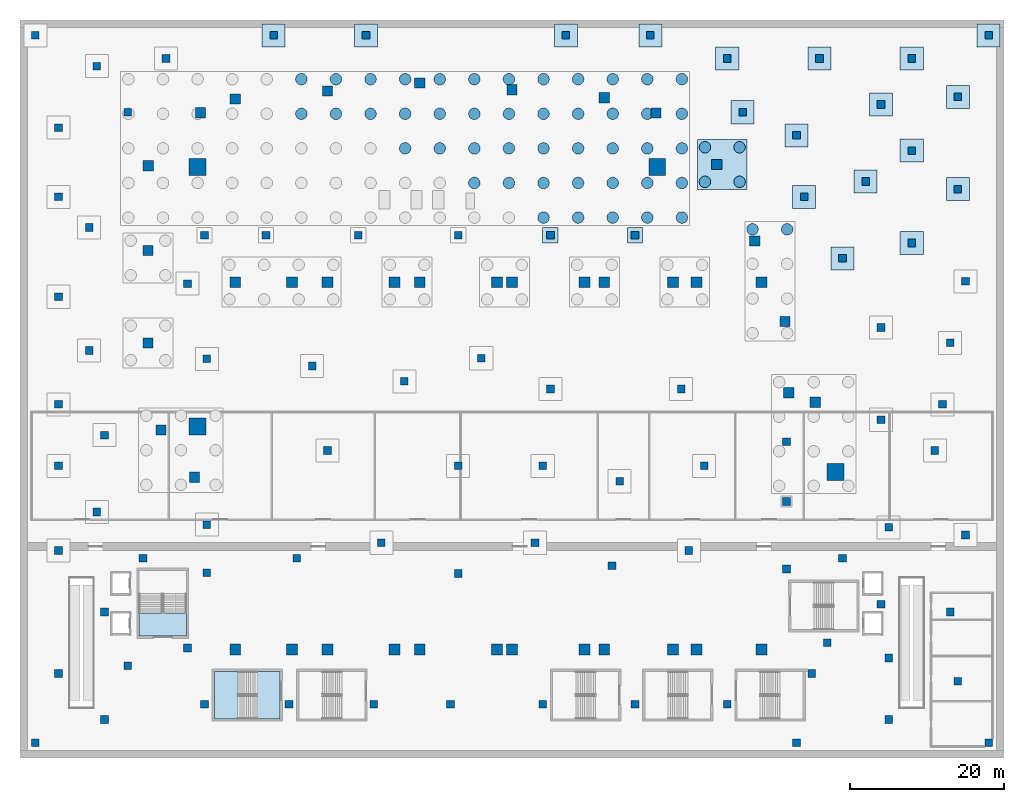
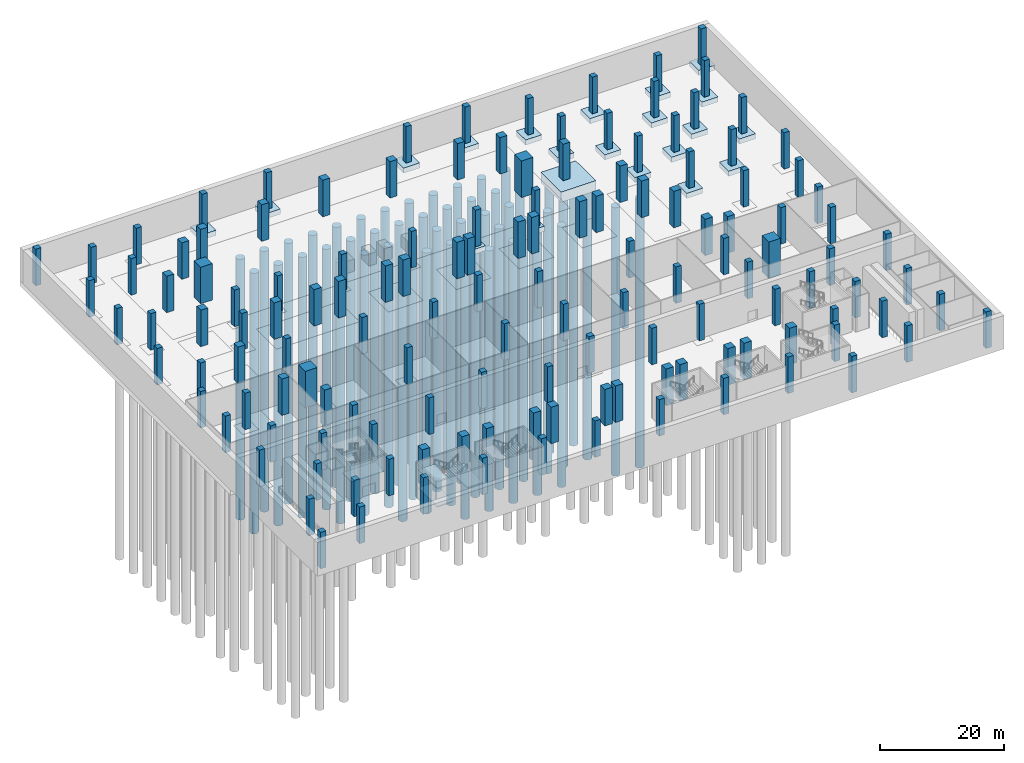
# One storey, part 2 of 15: 138 columns, 51 piles, 21 footings, 4 slabs, 2 elements without a shape of their own.
"""IFC4 building model written with IfcOpenShell, lengths in metres."""

from ifc_helpers import new_model, si_unit, direction, frame, origin, origin_2d, place, context, subcontext, project, spatial, polyline, rectangle, circle, outline, extrude, material, layer, layer_set, material_profile, profile_set, type_object, element, aggregate, save


model = new_model("IFC4")

# Units and contexts
model_context = context("Model", 3, precision=1e-05, world=origin(), true_north=direction((0.0, 1.0)))
body_context = subcontext(model_context, "Body", "Model", "MODEL_VIEW")
ifc_project = project(units=[si_unit("LENGTHUNIT", "METRE"), si_unit("AREAUNIT", "SQUARE_METRE"), si_unit("VOLUMEUNIT", "CUBIC_METRE"), si_unit("PLANEANGLEUNIT", "RADIAN"), si_unit("MASSUNIT", "GRAM", prefix="KILO")], contexts=[model_context])

# Site, building, storey
site_placement = place(None, origin())
site = spatial("IfcSite", under=ifc_project, at=site_placement, CompositionType="ELEMENT")
building_placement = place(site_placement, origin())
building = spatial("IfcBuilding", under=site, at=building_placement, Name="Wharfspan Tower", CompositionType="ELEMENT")
storey_placement = place(building_placement, frame((0.0, 0.0, -7.199951)))
storey = spatial("IfcBuildingStorey", under=building, at=storey_placement, Name="B1", CompositionType="ELEMENT", Elevation=-7.199951)

# Piles
ifc_material_1 = material(Name="Concrete C35/45", Category="concrete")
ifc_material_profile_1 = material_profile(ifc_material_1, circle(Radius=0.75, at=origin_2d()))
ifc_profile_set_1 = profile_set([ifc_material_profile_1], Name="Concrete C35/45")
pile_type = type_object("IfcPileType", Name="Bored pile D1500", PredefinedType="BORED", material=ifc_profile_set_1)
for number, where, z_axis, x_axis, name in (
    (1, (52.100098, 34.300049, -3.425049), (0.0, 0.0, -1.0), (1.0, 0.0, 0.0), "Bored pile F01-13"),
    (2, (56.600098, 34.300049, -3.425049), (0.0, 0.0, -1.0), (1.0, 0.0, 0.0), "Bored pile F01-14"),
    (3, (61.100098, 34.300049, -3.425049), (0.0, 0.0, -1.0), (1.0, 0.0, 0.0), "Bored pile F01-15"),
    (4, (65.600098, 34.300049, -3.425049), (0.0, 0.0, -1.0), (1.0, 0.0, 0.0), "Bored pile F01-16"),
    (5, (70.100098, 34.300049, -3.425049), (0.0, 0.0, -1.0), (1.0, 0.0, 0.0), "Bored pile F01-17"),
    (6, (43.100098, 38.800049, -3.425049), (0.0, 0.0, -1.0), (1.0, 0.0, 0.0), "Bored pile F01-28"),
    (7, (47.600098, 38.800049, -3.425049), (0.0, 0.0, -1.0), (1.0, 0.0, 0.0), "Bored pile F01-29"),
    (8, (52.100098, 38.800049, -3.425049), (0.0, 0.0, -1.0), (1.0, 0.0, 0.0), "Bored pile F01-30"),
    (9, (56.600098, 38.800049, -3.425049), (0.0, 0.0, -1.0), (1.0, 0.0, 0.0), "Bored pile F01-31"),
    (10, (61.100098, 38.800049, -3.425049), (0.0, 0.0, -1.0), (1.0, 0.0, 0.0), "Bored pile F01-32"),
    (11, (65.600098, 38.800049, -3.425049), (0.0, 0.0, -1.0), (1.0, 0.0, 0.0), "Bored pile F01-33"),
    (12, (70.100098, 38.800049, -3.425049), (0.0, 0.0, -1.0), (1.0, 0.0, 0.0), "Bored pile F01-34"),
    (13, (34.100098, 43.300049, -3.425049), (0.0, 0.0, -1.0), (1.0, 0.0, 0.0), "Bored pile F01-43"),
    (14, (38.600098, 43.300049, -3.425049), (0.0, 0.0, -1.0), (1.0, 0.0, 0.0), "Bored pile F01-44"),
    (15, (43.100098, 43.300049, -3.425049), (0.0, 0.0, -1.0), (1.0, 0.0, 0.0), "Bored pile F01-45"),
    (16, (47.600098, 43.300049, -3.425049), (0.0, 0.0, -1.0), (1.0, 0.0, 0.0), "Bored pile F01-46"),
    (17, (52.100098, 43.300049, -3.425049), (0.0, 0.0, -1.0), (1.0, 0.0, 0.0), "Bored pile F01-47"),
    (18, (56.600098, 43.300049, -3.425049), (0.0, 0.0, -1.0), (1.0, 0.0, 0.0), "Bored pile F01-48"),
    (19, (61.100098, 43.300049, -3.425049), (0.0, 0.0, -1.0), (1.0, 0.0, 0.0), "Bored pile F01-49"),
    (20, (65.600098, 43.300049, -3.425049), (0.0, 0.0, -1.0), (1.0, 0.0, 0.0), "Bored pile F01-50"),
    (21, (70.100098, 43.300049, -3.425049), (0.0, 0.0, -1.0), (1.0, 0.0, 0.0), "Bored pile F01-51"),
    (22, (20.600098, 47.800049, -3.425049), (0.0, 0.0, -1.0), (1.0, 0.0, 0.0), "Bored pile F01-57"),
    (23, (25.100098, 47.800049, -3.425049), (0.0, 0.0, -1.0), (1.0, 0.0, 0.0), "Bored pile F01-58"),
    (24, (29.600098, 47.800049, -3.425049), (0.0, 0.0, -1.0), (1.0, 0.0, 0.0), "Bored pile F01-59"),
    (25, (34.100098, 47.800049, -3.425049), (0.0, 0.0, -1.0), (1.0, 0.0, 0.0), "Bored pile F01-60"),
    (26, (38.600098, 47.800049, -3.425049), (0.0, 0.0, -1.0), (1.0, 0.0, 0.0), "Bored pile F01-61"),
    (27, (43.100098, 47.800049, -3.425049), (0.0, 0.0, -1.0), (1.0, 0.0, 0.0), "Bored pile F01-62"),
    (28, (47.600098, 47.800049, -3.425049), (0.0, 0.0, -1.0), (1.0, 0.0, 0.0), "Bored pile F01-63"),
    (29, (52.100098, 47.800049, -3.425049), (0.0, 0.0, -1.0), (1.0, 0.0, 0.0), "Bored pile F01-64"),
    (30, (56.600098, 47.800049, -3.425049), (0.0, 0.0, -1.0), (1.0, 0.0, 0.0), "Bored pile F01-65"),
    (31, (61.100098, 47.800049, -3.425049), (0.0, 0.0, -1.0), (1.0, 0.0, 0.0), "Bored pile F01-66"),
    (32, (65.600098, 47.800049, -3.425049), (0.0, 0.0, -1.0), (1.0, 0.0, 0.0), "Bored pile F01-67"),
    (33, (70.100098, 47.800049, -3.425049), (0.0, 0.0, -1.0), (1.0, 0.0, 0.0), "Bored pile F01-68"),
    (34, (20.600098, 52.300049, -3.425049), (0.0, 0.0, -1.0), (1.0, 0.0, 0.0), "Bored pile F01-74"),
    (35, (25.100098, 52.300049, -3.425049), (0.0, 0.0, -1.0), (1.0, 0.0, 0.0), "Bored pile F01-75"),
    (36, (29.600098, 52.300049, -3.425049), (0.0, 0.0, -1.0), (1.0, 0.0, 0.0), "Bored pile F01-76"),
    (37, (34.100098, 52.300049, -3.425049), (0.0, 0.0, -1.0), (1.0, 0.0, 0.0), "Bored pile F01-77"),
    (38, (38.600098, 52.300049, -3.425049), (0.0, 0.0, -1.0), (1.0, 0.0, 0.0), "Bored pile F01-78"),
    (39, (43.100098, 52.300049, -3.425049), (0.0, 0.0, -1.0), (1.0, 0.0, 0.0), "Bored pile F01-79"),
    (40, (47.600098, 52.300049, -3.425049), (0.0, 0.0, -1.0), (1.0, 0.0, 0.0), "Bored pile F01-80"),
    (41, (52.100098, 52.300049, -3.425049), (0.0, 0.0, -1.0), (1.0, 0.0, 0.0), "Bored pile F01-81"),
    (42, (56.600098, 52.300049, -3.425049), (0.0, 0.0, -1.0), (1.0, 0.0, 0.0), "Bored pile F01-82"),
    (43, (61.100098, 52.300049, -3.425049), (0.0, 0.0, -1.0), (1.0, 0.0, 0.0), "Bored pile F01-83"),
    (44, (65.600098, 52.300049, -3.425049), (0.0, 0.0, -1.0), (1.0, 0.0, 0.0), "Bored pile F01-84"),
    (45, (70.100098, 52.300049, -3.425049), (0.0, 0.0, -1.0), (1.0, 0.0, 0.0), "Bored pile F01-85"),
):
    element("IfcPile", number, at=place(storey_placement, frame(where, z_axis=z_axis, x_axis=x_axis)), inside=storey, type_object=pile_type, Name=name, PredefinedType="BORED", context=body_context, shape_type="SweptSolid", body=[
        extrude(circle(Radius=0.75, at=origin_2d()), origin(), (0.0, 0.0, 1.0), 51.375),
    ])
for number, where, z_axis, x_axis, name in (
    (46, (79.28833, 32.768311, -1.925049), (0.0, 0.0, -1.0), (1.0, 0.0, 0.0), "Bored pile F11-07"),
    (47, (83.78833, 32.768311, -1.925049), (0.0, 0.0, -1.0), (1.0, 0.0, 0.0), "Bored pile F11-08"),
    (48, (73.100098, 38.946289, -1.925049), (0.0, 0.0, -1.0), (1.0, 0.0, 0.0), "Bored pile F18-01"),
    (49, (77.600098, 38.946289, -1.925049), (0.0, 0.0, -1.0), (1.0, 0.0, 0.0), "Bored pile F18-02"),
    (50, (73.100098, 43.446289, -1.925049), (0.0, 0.0, -1.0), (1.0, 0.0, 0.0), "Bored pile F18-03"),
    (51, (77.600098, 43.446289, -1.925049), (0.0, 0.0, -1.0), (1.0, 0.0, 0.0), "Bored pile F18-04"),
):
    element("IfcPile", number, at=place(storey_placement, frame(where, z_axis=z_axis, x_axis=x_axis)), inside=storey, type_object=pile_type, Name=name, PredefinedType="BORED", context=body_context, shape_type="SweptSolid", body=[
        extrude(circle(Radius=0.75, at=origin_2d()), origin(), (0.0, 0.0, 1.0), 52.875),
    ])

# Footings
footing_type_1 = type_object("IfcFootingType", Name="Pad footing 2000 square, 1000 deep", PredefinedType="PAD_FOOTING", material=ifc_material_1)
footing_1_placement = place(storey_placement, frame((0.0, 0.0, -1.0)))
element("IfcFooting", 52, at=footing_1_placement, inside=storey, type_object=footing_type_1, Name="Pad footing P.D.40", PredefinedType="PAD_FOOTING", context=body_context, shape_type="SweptSolid", body=[
    extrude(outline(polyline([(52.0, 31.0), (54.0, 31.0), (54.0, 33.0), (52.0, 33.0), (52.0, 31.0)])), origin(), (0.0, 0.0, 1.0), 1.0),
])
footing_2_placement = place(storey_placement, frame((0.0, 0.0, -1.0)))
element("IfcFooting", 53, at=footing_2_placement, inside=storey, type_object=footing_type_1, Name="Pad footing P.D.43", PredefinedType="PAD_FOOTING", context=body_context, shape_type="SweptSolid", body=[
    extrude(outline(polyline([(63.0, 31.0), (65.0, 31.0), (65.0, 33.0), (63.0, 33.0), (63.0, 31.0)])), origin(), (0.0, 0.0, 1.0), 1.0),
])
footing_type_2 = type_object("IfcFootingType", Name="Pad footing 3000 square, 1000 deep", PredefinedType="PAD_FOOTING", material=ifc_material_1)
footing_3_placement = place(storey_placement, frame((0.0, 0.0, -1.0)))
element("IfcFooting", 54, at=footing_3_placement, inside=storey, type_object=footing_type_2, Name="Pad footing P.D.25", PredefinedType="PAD_FOOTING", context=body_context, shape_type="SweptSolid", body=[
    extrude(outline(polyline([(89.5, 27.5), (92.5, 27.5), (92.5, 30.5), (89.5, 30.5), (89.5, 27.5)])), origin(), (0.0, 0.0, 1.0), 1.0),
])
footing_4_placement = place(storey_placement, frame((0.0, 0.0, -1.0)))
element("IfcFooting", 55, at=footing_4_placement, inside=storey, type_object=footing_type_2, Name="Pad footing P.D.38", PredefinedType="PAD_FOOTING", context=body_context, shape_type="SweptSolid", body=[
    extrude(outline(polyline([(98.5, 29.5), (101.5, 29.5), (101.5, 32.5), (98.5, 32.5), (98.5, 29.5)])), origin(), (0.0, 0.0, 1.0), 1.0),
])
footing_5_placement = place(storey_placement, frame((0.0, 0.0, -1.0)))
element("IfcFooting", 56, at=footing_5_placement, inside=storey, type_object=footing_type_2, Name="Pad footing P.D.44", PredefinedType="PAD_FOOTING", context=body_context, shape_type="SweptSolid", body=[
    extrude(outline(polyline([(84.5, 35.5), (87.5, 35.5), (87.5, 38.5), (84.5, 38.5), (84.5, 35.5)])), origin(), (0.0, 0.0, 1.0), 1.0),
])
footing_6_placement = place(storey_placement, frame((0.0, 0.0, -1.0)))
element("IfcFooting", 57, at=footing_6_placement, inside=storey, type_object=footing_type_2, Name="Pad footing P.D.17", PredefinedType="PAD_FOOTING", context=body_context, shape_type="SweptSolid", body=[
    extrude(outline(polyline([(104.5, 36.5), (107.5, 36.5), (107.5, 39.5), (104.5, 39.5), (104.5, 36.5)])), origin(), (0.0, 0.0, 1.0), 1.0),
])
footing_7_placement = place(storey_placement, frame((0.0, 0.0, -1.0)))
element("IfcFooting", 58, at=footing_7_placement, inside=storey, type_object=footing_type_2, Name="Pad footing P.D.8", PredefinedType="PAD_FOOTING", context=body_context, shape_type="SweptSolid", body=[
    extrude(outline(polyline([(92.5, 37.5), (95.5, 37.5), (95.5, 40.5), (92.5, 40.5), (92.5, 37.5)])), origin(), (0.0, 0.0, 1.0), 1.0),
])
footing_8_placement = place(storey_placement, frame((0.0, 0.0, -1.0)))
element("IfcFooting", 59, at=footing_8_placement, inside=storey, type_object=footing_type_2, Name="Pad footing P.D.59", PredefinedType="PAD_FOOTING", context=body_context, shape_type="SweptSolid", body=[
    extrude(outline(polyline([(98.5, 41.5), (101.5, 41.5), (101.5, 44.5), (98.5, 44.5), (98.5, 41.5)])), origin(), (0.0, 0.0, 1.0), 1.0),
])
footing_9_placement = place(storey_placement, frame((0.0, 0.0, -1.0)))
element("IfcFooting", 60, at=footing_9_placement, inside=storey, type_object=footing_type_2, Name="Pad footing P.D.22", PredefinedType="PAD_FOOTING", context=body_context, shape_type="SweptSolid", body=[
    extrude(outline(polyline([(83.5, 43.5), (86.5, 43.5), (86.5, 46.5), (83.5, 46.5), (83.5, 43.5)])), origin(), (0.0, 0.0, 1.0), 1.0),
])
footing_10_placement = place(storey_placement, frame((0.0, 0.0, -1.0)))
element("IfcFooting", 61, at=footing_10_placement, inside=storey, type_object=footing_type_2, Name="Pad footing P.D.53", PredefinedType="PAD_FOOTING", context=body_context, shape_type="SweptSolid", body=[
    extrude(outline(polyline([(76.5, 46.5), (79.5, 46.5), (79.5, 49.5), (76.5, 49.5), (76.5, 46.5)])), origin(), (0.0, 0.0, 1.0), 1.0),
])
footing_11_placement = place(storey_placement, frame((0.0, 0.0, -1.0)))
element("IfcFooting", 62, at=footing_11_placement, inside=storey, type_object=footing_type_2, Name="Pad footing P.D.27", PredefinedType="PAD_FOOTING", context=body_context, shape_type="SweptSolid", body=[
    extrude(outline(polyline([(94.5, 47.5), (97.5, 47.5), (97.5, 50.5), (94.5, 50.5), (94.5, 47.5)])), origin(), (0.0, 0.0, 1.0), 1.0),
])
footing_12_placement = place(storey_placement, frame((0.0, 0.0, -1.0)))
element("IfcFooting", 63, at=footing_12_placement, inside=storey, type_object=footing_type_2, Name="Pad footing P.D.1", PredefinedType="PAD_FOOTING", context=body_context, shape_type="SweptSolid", body=[
    extrude(outline(polyline([(104.5, 48.5), (107.5, 48.5), (107.5, 51.5), (104.5, 51.5), (104.5, 48.5)])), origin(), (0.0, 0.0, 1.0), 1.0),
])
footing_13_placement = place(storey_placement, frame((0.0, 0.0, -1.0)))
element("IfcFooting", 64, at=footing_13_placement, inside=storey, type_object=footing_type_2, Name="Pad footing P.D.18", PredefinedType="PAD_FOOTING", context=body_context, shape_type="SweptSolid", body=[
    extrude(outline(polyline([(74.5, 53.5), (77.5, 53.5), (77.5, 56.5), (74.5, 56.5), (74.5, 53.5)])), origin(), (0.0, 0.0, 1.0), 1.0),
])
footing_14_placement = place(storey_placement, frame((0.0, 0.0, -1.0)))
element("IfcFooting", 65, at=footing_14_placement, inside=storey, type_object=footing_type_2, Name="Pad footing P.D.6", PredefinedType="PAD_FOOTING", context=body_context, shape_type="SweptSolid", body=[
    extrude(outline(polyline([(86.5, 53.5), (89.5, 53.5), (89.5, 56.5), (86.5, 56.5), (86.5, 53.5)])), origin(), (0.0, 0.0, 1.0), 1.0),
])
footing_15_placement = place(storey_placement, frame((0.0, 0.0, -1.0)))
element("IfcFooting", 66, at=footing_15_placement, inside=storey, type_object=footing_type_2, Name="Pad footing P.D.60", PredefinedType="PAD_FOOTING", context=body_context, shape_type="SweptSolid", body=[
    extrude(outline(polyline([(98.5, 53.5), (101.5, 53.5), (101.5, 56.5), (98.5, 56.5), (98.5, 53.5)])), origin(), (0.0, 0.0, 1.0), 1.0),
])
footing_16_placement = place(storey_placement, frame((0.0, 0.0, -1.0)))
element("IfcFooting", 67, at=footing_16_placement, inside=storey, type_object=footing_type_2, Name="Pad footing P.B.15", PredefinedType="PAD_FOOTING", context=body_context, shape_type="SweptSolid", body=[
    extrude(outline(polyline([(15.5, 56.5), (18.5, 56.5), (18.5, 59.5), (15.5, 59.5), (15.5, 56.5)])), origin(), (0.0, 0.0, 1.0), 1.0),
])
footing_17_placement = place(storey_placement, frame((0.0, 0.0, -1.0)))
element("IfcFooting", 68, at=footing_17_placement, inside=storey, type_object=footing_type_2, Name="Pad footing P.B.25", PredefinedType="PAD_FOOTING", context=body_context, shape_type="SweptSolid", body=[
    extrude(outline(polyline([(27.5, 56.5), (30.5, 56.5), (30.5, 59.5), (27.5, 59.5), (27.5, 56.5)])), origin(), (0.0, 0.0, 1.0), 1.0),
])
footing_18_placement = place(storey_placement, frame((0.0, 0.0, -1.0)))
element("IfcFooting", 69, at=footing_18_placement, inside=storey, type_object=footing_type_2, Name="Pad footing P.B.17", PredefinedType="PAD_FOOTING", context=body_context, shape_type="SweptSolid", body=[
    extrude(outline(polyline([(53.5, 56.5), (56.5, 56.5), (56.5, 59.5), (53.5, 59.5), (53.5, 56.5)])), origin(), (0.0, 0.0, 1.0), 1.0),
])
footing_19_placement = place(storey_placement, frame((0.0, 0.0, -1.0)))
element("IfcFooting", 70, at=footing_19_placement, inside=storey, type_object=footing_type_2, Name="Pad footing P.B.14", PredefinedType="PAD_FOOTING", context=body_context, shape_type="SweptSolid", body=[
    extrude(outline(polyline([(64.5, 56.5), (67.5, 56.5), (67.5, 59.5), (64.5, 59.5), (64.5, 56.5)])), origin(), (0.0, 0.0, 1.0), 1.0),
])
footing_20_placement = place(storey_placement, frame((0.0, 0.0, -1.0)))
element("IfcFooting", 71, at=footing_20_placement, inside=storey, type_object=footing_type_2, Name="Pad footing P.B.20", PredefinedType="PAD_FOOTING", context=body_context, shape_type="SweptSolid", body=[
    extrude(outline(polyline([(108.5, 56.5), (111.5, 56.5), (111.5, 59.5), (108.5, 59.5), (108.5, 56.5)])), origin(), (0.0, 0.0, 1.0), 1.0),
])
ifc_material_2 = material(Name="Concrete C40/50", Category="concrete")
footing_type_3 = type_object("IfcFootingType", Name="Pile cap 2 x 2 piles, 2000 deep", PredefinedType="PILE_CAP", material=ifc_material_2)
footing_21_placement = place(storey_placement, frame((0.0, 0.0, -2.0)))
element("IfcFooting", 72, at=footing_21_placement, inside=storey, type_object=footing_type_3, Name="Pile cap F18", PredefinedType="PILE_CAP", context=body_context, shape_type="SweptSolid", body=[
    extrude(outline(polyline([(72.100098, 37.946289), (78.600098, 37.946289), (78.600098, 44.446289), (72.100098, 44.446289), (72.100098, 37.946289)])), origin(), (0.0, 0.0, 1.0), 2.0),
])

# Columns
ifc_material_3 = material(Name="Concrete C60/75", Category="concrete")
ifc_material_profile_2 = material_profile(ifc_material_3, rectangle(XDim=1.0, YDim=1.0, at=origin_2d()))
ifc_profile_set_2 = profile_set([ifc_material_profile_2], Name="Concrete C60/75")
column_type_1 = type_object("IfcColumnType", Name="Concrete column 1000 square", PredefinedType="COLUMN", material=ifc_profile_set_2)
for number, where, z_axis, x_axis, name in (
    (73, (5.800049, -21.699951, 0.0), (0.0, 0.0, 1.0), (1.0, 0.0, 0.0), "Column G.S1"),
    (74, (5.800049, 25.699951, 0.0), (0.0, 0.0, 1.0), (1.0, 0.0, 0.0), "Column G.N2"),
    (75, (8.300049, -11.919922, 0.0), (0.0, 0.0, 1.0), (1.0, 0.0, 0.0), "Column G.W3"),
    (76, (8.300049, -5.639893, 0.0), (0.0, 0.0, 1.0), (1.0, 0.0, 0.0), "Column G.W4"),
    (77, (8.300049, 15.919922, 0.0), (0.0, 0.0, 1.0), (1.0, 0.0, 0.0), "Column G.W5"),
    (78, (83.699951, -11.419922, 0.0), (0.0, 0.0, 1.0), (1.0, 0.0, 0.0), "Column G.E6"),
    (79, (83.699951, -2.639893, 0.0), (0.0, 0.0, 1.0), (1.0, 0.0, 0.0), "Column G.E7"),
    (80, (83.699951, 5.139893, 0.0), (0.0, 0.0, 1.0), (1.0, 0.0, 0.0), "Column G.E8"),
    (81, (106.0, 50.0, 0.0), (0.0, 0.0, 1.0), (1.0, 0.0, 0.0), "Column D.1"),
    (82, (106.0, -26.0, 0.0), (0.0, 0.0, 1.0), (1.0, 0.0, 0.0), "Column D.2"),
    (83, (107.0, 26.0, 0.0), (0.0, 0.0, 1.0), (1.0, 0.0, 0.0), "Column D.3"),
    (84, (-11.0, -9.0, 0.0), (0.0, 0.0, 1.0), (1.0, 0.0, 0.0), "Column D.4"),
    (85, (107.0, -7.0, 0.0), (0.0, 0.0, 1.0), (1.0, 0.0, 0.0), "Column D.5"),
    (86, (88.0, 55.0, 0.0), (0.0, 0.0, 1.0), (1.0, 0.0, 0.0), "Column D.6"),
    (87, (-11.0, -25.0, 0.0), (0.0, 0.0, 1.0), (1.0, 0.0, 0.0), "Column D.7"),
    (88, (94.0, 39.0, 0.0), (0.0, 0.0, 1.0), (1.0, 0.0, 0.0), "Column D.8"),
    (89, (104.0, 10.0, 0.0), (0.0, 0.0, 1.0), (1.0, 0.0, 0.0), "Column D.9"),
    (90, (-6.0, 54.0, 0.0), (0.0, 0.0, 1.0), (1.0, 0.0, 0.0), "Column D.10"),
    (91, (97.0, -31.0, 0.0), (0.0, 0.0, 1.0), (1.0, 0.0, 0.0), "Column D.11"),
    (92, (-11.0, 10.0, 0.0), (0.0, 0.0, 1.0), (1.0, 0.0, 0.0), "Column D.12"),
    (93, (96.0, -16.0, 0.0), (0.0, 0.0, 1.0), (1.0, 0.0, 0.0), "Column D.13"),
    (94, (-11.0, 24.0, 0.0), (0.0, 0.0, 1.0), (1.0, 0.0, 0.0), "Column D.14"),
    (95, (96.0, 20.0, 0.0), (0.0, 0.0, 1.0), (1.0, 0.0, 0.0), "Column D.15"),
    (96, (-11.0, 37.0, 0.0), (0.0, 0.0, 1.0), (1.0, 0.0, 0.0), "Column D.16"),
    (97, (106.0, 38.0, 0.0), (0.0, 0.0, 1.0), (1.0, 0.0, 0.0), "Column D.17"),
    (98, (76.0, 55.0, 0.0), (0.0, 0.0, 1.0), (1.0, 0.0, 0.0), "Column D.18"),
    (99, (-5.0, -31.0, 0.0), (0.0, 0.0, 1.0), (1.0, 0.0, 0.0), "Column D.19"),
    (100, (87.0, -25.0, 0.0), (0.0, 0.0, 1.0), (1.0, 0.0, 0.0), "Column D.20"),
    (101, (-5.0, -17.0, 0.0), (0.0, 0.0, 1.0), (1.0, 0.0, 0.0), "Column D.21"),
    (102, (85.0, 45.0, 0.0), (0.0, 0.0, 1.0), (1.0, 0.0, 0.0), "Column D.22"),
    (103, (40.0, -29.0, 0.0), (0.0, 0.0, 1.0), (1.0, 0.0, 0.0), "Column D.23"),
    (104, (-6.0, -4.0, 0.0), (0.0, 0.0, 1.0), (1.0, 0.0, 0.0), "Column D.24"),
    (105, (91.0, 29.0, 0.0), (0.0, 0.0, 1.0), (1.0, 0.0, 0.0), "Column D.25"),
    (106, (52.0, -29.0, 0.0), (0.0, 0.0, 1.0), (1.0, 0.0, 0.0), "Column D.26"),
    (107, (96.0, 49.0, 0.0), (0.0, 0.0, 1.0), (1.0, 0.0, 0.0), "Column D.27"),
    (108, (97.0, -6.0, 0.0), (0.0, 0.0, 1.0), (1.0, 0.0, 0.0), "Column D.28"),
    (109, (30.0, -29.0, 0.0), (0.0, 0.0, 1.0), (1.0, 0.0, 0.0), "Column D.29"),
    (110, (64.0, -29.0, 0.0), (0.0, 0.0, 1.0), (1.0, 0.0, 0.0), "Column D.30"),
    (111, (76.0, -29.0, 0.0), (0.0, 0.0, 1.0), (1.0, 0.0, 0.0), "Column D.31"),
    (112, (19.0, -29.0, 0.0), (0.0, 0.0, 1.0), (1.0, 0.0, 0.0), "Column D.32"),
    (113, (8.0, -29.0, 0.0), (0.0, 0.0, 1.0), (1.0, 0.0, 0.0), "Column D.33"),
    (114, (105.0, -17.0, 0.0), (0.0, 0.0, 1.0), (1.0, 0.0, 0.0), "Column D.34"),
    (115, (-11.0, 46.0, 0.0), (0.0, 0.0, 1.0), (1.0, 0.0, 0.0), "Column D.35"),
    (116, (103.0, 4.0, 0.0), (0.0, 0.0, 1.0), (1.0, 0.0, 0.0), "Column D.36"),
    (117, (41.0, 32.0, 0.0), (0.0, 0.0, 1.0), (1.0, 0.0, 0.0), "Column D.37"),
    (118, (100.0, 31.0, 0.0), (0.0, 0.0, 1.0), (1.0, 0.0, 0.0), "Column D.38"),
    (119, (0.0, -10.0, 0.0), (0.0, 0.0, 1.0), (1.0, 0.0, 0.0), "Column D.39"),
    (120, (53.0, 32.0, 0.0), (0.0, 0.0, 1.0), (1.0, 0.0, 0.0), "Column D.40"),
    (121, (3.0, 55.0, 0.0), (0.0, 0.0, 1.0), (1.0, 0.0, 0.0), "Column D.41"),
    (122, (28.0, 32.0, 0.0), (0.0, 0.0, 1.0), (1.0, 0.0, 0.0), "Column D.42"),
    (123, (64.0, 32.0, 0.0), (0.0, 0.0, 1.0), (1.0, 0.0, 0.0), "Column D.43"),
    (124, (86.0, 37.0, 0.0), (0.0, 0.0, 1.0), (1.0, 0.0, 0.0), "Column D.44"),
    (125, (96.0, 8.0, 0.0), (0.0, 0.0, 1.0), (1.0, 0.0, 0.0), "Column D.45"),
    (126, (105.0, 18.0, 0.0), (0.0, 0.0, 1.0), (1.0, 0.0, 0.0), "Column D.46"),
    (127, (16.0, 32.0, 0.0), (0.0, 0.0, 1.0), (1.0, 0.0, 0.0), "Column D.47"),
    (128, (-11.0, 2.0, 0.0), (0.0, 0.0, 1.0), (1.0, 0.0, 0.0), "Column D.48"),
    (129, (-7.0, 17.0, 0.0), (0.0, 0.0, 1.0), (1.0, 0.0, 0.0), "Column D.49"),
    (130, (8.0, 32.0, 0.0), (0.0, 0.0, 1.0), (1.0, 0.0, 0.0), "Column D.50"),
    (131, (-2.0, -24.0, 0.0), (0.0, 0.0, 1.0), (1.0, 0.0, 0.0), "Column D.51"),
    (132, (97.0, -23.0, 0.0), (0.0, 0.0, 1.0), (1.0, 0.0, 0.0), "Column D.52"),
    (133, (78.0, 48.0, 0.0), (0.0, 0.0, 1.0), (1.0, 0.0, 0.0), "Column D.53"),
    (134, (89.0, -21.0, 0.0), (0.0, 0.0, 1.0), (1.0, 0.0, 0.0), "Column D.54"),
    (135, (-7.0, 33.0, 0.0), (0.0, 0.0, 1.0), (1.0, 0.0, 0.0), "Column D.55"),
    (136, (-5.0, 6.0, 0.0), (0.0, 0.0, 1.0), (1.0, 0.0, 0.0), "Column D.56"),
    (137, (-2.0, 48.0, 0.0), (0.0, 0.0, 1.0), (1.0, 0.0, 0.0), "Column D.57"),
    (138, (91.0, -10.0, 0.0), (0.0, 0.0, 1.0), (1.0, 0.0, 0.0), "Column D.58"),
    (139, (100.0, 43.0, 0.0), (0.0, 0.0, 1.0), (1.0, 0.0, 0.0), "Column D.59"),
    (140, (100.0, 55.0, 0.0), (0.0, 0.0, 1.0), (1.0, 0.0, 0.0), "Column D.60"),
    (141, (41.0, 2.0, 0.0), (0.0, 0.0, 1.0), (1.0, 0.0, 0.0), "Column B.1"),
    (142, (62.0, 0.0, 0.0), (0.0, 0.0, 1.0), (1.0, 0.0, 0.0), "Column B.2"),
    (143, (24.0, 4.0, 0.0), (0.0, 0.0, 1.0), (1.0, 0.0, 0.0), "Column B.3"),
    (144, (53.0, 12.0, 0.0), (0.0, 0.0, 1.0), (1.0, 0.0, 0.0), "Column B.4"),
    (145, (70.0, 12.0, 0.0), (0.0, 0.0, 1.0), (1.0, 0.0, 0.0), "Column B.5"),
    (146, (31.0, -8.0, 0.0), (0.0, 0.0, 1.0), (1.0, 0.0, 0.0), "Column B.6"),
    (147, (51.0, -8.0, 0.0), (0.0, 0.0, 1.0), (1.0, 0.0, 0.0), "Column B.7"),
    (148, (34.0, 13.0, 0.0), (0.0, 0.0, 1.0), (1.0, 0.0, 0.0), "Column B.8"),
    (149, (71.0, -9.0, 0.0), (0.0, 0.0, 1.0), (1.0, 0.0, 0.0), "Column B.9"),
    (150, (20.0, -10.0, 0.0), (0.0, 0.0, 1.0), (1.0, 0.0, 0.0), "Column B.10"),
    (151, (22.0, 15.0, 0.0), (0.0, 0.0, 1.0), (1.0, 0.0, 0.0), "Column B.11"),
    (152, (-14.0, -34.0, 0.0), (0.0, 0.0, 1.0), (1.0, 0.0, 0.0), "Column B.12"),
    (153, (41.0, -12.0, 0.0), (0.0, 0.0, 1.0), (1.0, 0.0, 0.0), "Column B.13"),
    (154, (66.0, 58.0, 0.0), (0.0, 0.0, 1.0), (1.0, 0.0, 0.0), "Column B.14"),
    (155, (17.0, 58.0, 0.0), (0.0, 0.0, 1.0), (1.0, 0.0, 0.0), "Column B.15"),
    (156, (73.0, 2.0, 0.0), (0.0, 0.0, 1.0), (1.0, 0.0, 0.0), "Column B.16"),
    (157, (55.0, 58.0, 0.0), (0.0, 0.0, 1.0), (1.0, 0.0, 0.0), "Column B.17"),
    (158, (-14.0, 58.0, 0.0), (0.0, 0.0, 1.0), (1.0, 0.0, 0.0), "Column B.18"),
    (159, (110.0, -34.0, 0.0), (0.0, 0.0, 1.0), (1.0, 0.0, 0.0), "Column B.19"),
    (160, (110.0, 58.0, 0.0), (0.0, 0.0, 1.0), (1.0, 0.0, 0.0), "Column B.20"),
    (161, (61.0, -11.0, 0.0), (0.0, 0.0, 1.0), (1.0, 0.0, 0.0), "Column B.21"),
    (162, (85.0, -34.0, 0.0), (0.0, 0.0, 1.0), (1.0, 0.0, 0.0), "Column B.22"),
    (163, (52.0, 2.0, 0.0), (0.0, 0.0, 1.0), (1.0, 0.0, 0.0), "Column B.23"),
    (164, (44.0, 16.0, 0.0), (0.0, 0.0, 1.0), (1.0, 0.0, 0.0), "Column B.24"),
    (165, (29.0, 58.0, 0.0), (0.0, 0.0, 1.0), (1.0, 0.0, 0.0), "Column B.25"),
):
    element("IfcColumn", number, at=place(storey_placement, frame(where, z_axis=z_axis, x_axis=x_axis)), inside=storey, type_object=column_type_1, Name=name, PredefinedType="COLUMN", context=body_context, shape_type="SweptSolid", body=[
        extrude(rectangle(XDim=1.0, YDim=1.0, at=origin_2d()), origin(), (0.0, 0.0, 1.0), 7.199951),
    ])
ifc_material_profile_3 = material_profile(ifc_material_3, rectangle(XDim=1.320068, YDim=1.320068, at=origin_2d()))
ifc_profile_set_3 = profile_set([ifc_material_profile_3], Name="Concrete C60/75")
column_type_2 = type_object("IfcColumnType", Name="Concrete column 1320 square", PredefinedType="COLUMN", material=ifc_profile_set_3)
for number, where, z_axis, x_axis, name in (
    (166, (6.694336, 0.528564, 0.0), (0.0, 0.0, 1.0), (1.0, 0.0, 0.0), "Column T.PS1.1"),
    (167, (87.44458, 10.268311, 0.0), (0.0, 0.0, 1.0), (1.0, 0.0, 0.0), "Column T.PE.1"),
    (168, (83.50708, 20.768311, 0.0), (0.0, 0.0, 1.0), (1.0, 0.0, 0.0), "Column T.PE.2"),
    (169, (79.56958, 31.268311, 0.0), (0.0, 0.0, 1.0), (1.0, 0.0, 0.0), "Column T.PE.3"),
    (170, (74.634277, 41.196289, 0.0), (0.0, 0.0, 1.0), (1.0, 0.0, 0.0), "Column T.PE.4"),
    (171, (66.747803, 47.915283, 0.0), (0.0, 0.0, 1.0), (1.0, 0.0, 0.0), "Column T.PNRE-V.1"),
    (172, (7.466553, 47.933594, 0.0), (0.0, 0.0, 1.0), (1.0, 0.0, 0.0), "Column T.PNRW-V.1"),
    (173, (0.684814, 41.03418, 0.0), (0.0, 0.0, 1.0), (1.0, 0.0, 0.0), "Column T.PNRW-H.1"),
    (174, (0.659912, 30.0, 0.0), (0.0, 0.0, 1.0), (1.0, 0.0, 0.0), "Column T.PW.1"),
    (175, (0.659912, 18.0, 0.0), (0.0, 0.0, 1.0), (1.0, 0.0, 0.0), "Column T.PW.2"),
    (176, (2.331787, 6.66748, 0.0), (0.0, 0.0, 1.0), (1.0, 0.0, 0.0), "Column T.PW.3"),
    (177, (12.0, 49.709961, 0.0), (0.0, 0.0, 1.0), (1.0, 0.0, 0.0), "Column T.R.1"),
    (178, (24.0, 50.759766, 0.0), (0.0, 0.0, 1.0), (1.0, 0.0, 0.0), "Column T.R.2"),
    (179, (36.0, 51.80957, 0.0), (0.0, 0.0, 1.0), (1.0, 0.0, 0.0), "Column T.R.3"),
    (180, (48.0, 50.934814, 0.0), (0.0, 0.0, 1.0), (1.0, 0.0, 0.0), "Column T.R.4"),
    (181, (60.0, 49.884766, 0.0), (0.0, 0.0, 1.0), (1.0, 0.0, 0.0), "Column T.R.5"),
):
    element("IfcColumn", number, at=place(storey_placement, frame(where, z_axis=z_axis, x_axis=x_axis)), inside=storey, type_object=column_type_2, Name=name, PredefinedType="COLUMN", context=body_context, shape_type="SweptSolid", body=[
        extrude(rectangle(XDim=1.320068, YDim=1.320068, at=origin_2d()), origin(), (0.0, 0.0, 1.0), 7.199951),
    ])
ifc_material_profile_4 = material_profile(ifc_material_3, rectangle(XDim=1.399902, YDim=1.399902, at=origin_2d()))
ifc_profile_set_4 = profile_set([ifc_material_profile_4], Name="Concrete C60/75")
column_type_3 = type_object("IfcColumnType", Name="Concrete column 1400 square", PredefinedType="COLUMN", material=ifc_profile_set_4)
for number, where, z_axis, x_axis, name in (
    (182, (84.0, 11.5, 0.0), (0.0, 0.0, 1.0), (1.0, 0.0, 0.0), "Column T.I.1.7"),
    (183, (12.0, -21.899902, 0.0), (0.0, 0.0, 1.0), (1.0, 0.0, 0.0), "Column RS.1"),
    (184, (12.0, 25.899902, 0.0), (0.0, 0.0, 1.0), (1.0, 0.0, 0.0), "Column RN.1"),
    (185, (19.391113, -21.899902, 0.0), (0.0, 0.0, 1.0), (1.0, 0.0, 0.0), "Column RS.2"),
    (186, (19.391113, 25.899902, 0.0), (0.0, 0.0, 1.0), (1.0, 0.0, 0.0), "Column RN.2"),
    (187, (24.0, -21.899902, 0.0), (0.0, 0.0, 1.0), (1.0, 0.0, 0.0), "Column RS.3"),
    (188, (24.0, 25.899902, 0.0), (0.0, 0.0, 1.0), (1.0, 0.0, 0.0), "Column RN.3"),
    (189, (32.724121, -21.899902, 0.0), (0.0, 0.0, 1.0), (1.0, 0.0, 0.0), "Column RS.4"),
    (190, (32.724121, 25.899902, 0.0), (0.0, 0.0, 1.0), (1.0, 0.0, 0.0), "Column RN.4"),
    (191, (36.0, -21.899902, 0.0), (0.0, 0.0, 1.0), (1.0, 0.0, 0.0), "Column RS.5"),
    (192, (36.0, 25.899902, 0.0), (0.0, 0.0, 1.0), (1.0, 0.0, 0.0), "Column RN.5"),
    (193, (46.041992, -21.899902, 0.0), (0.0, 0.0, 1.0), (1.0, 0.0, 0.0), "Column RS.6"),
    (194, (46.041992, 25.899902, 0.0), (0.0, 0.0, 1.0), (1.0, 0.0, 0.0), "Column RN.6"),
    (195, (48.0, -21.899902, 0.0), (0.0, 0.0, 1.0), (1.0, 0.0, 0.0), "Column RS.7"),
    (196, (48.0, 25.899902, 0.0), (0.0, 0.0, 1.0), (1.0, 0.0, 0.0), "Column RN.7"),
    (197, (57.441895, -21.899902, 0.0), (0.0, 0.0, 1.0), (1.0, 0.0, 0.0), "Column RS.8"),
    (198, (57.441895, 25.899902, 0.0), (0.0, 0.0, 1.0), (1.0, 0.0, 0.0), "Column RN.8"),
    (199, (60.0, -21.899902, 0.0), (0.0, 0.0, 1.0), (1.0, 0.0, 0.0), "Column RS.9"),
    (200, (60.0, 25.899902, 0.0), (0.0, 0.0, 1.0), (1.0, 0.0, 0.0), "Column RN.9"),
    (201, (68.941895, -21.899902, 0.0), (0.0, 0.0, 1.0), (1.0, 0.0, 0.0), "Column RS.10"),
    (202, (68.941895, 25.899902, 0.0), (0.0, 0.0, 1.0), (1.0, 0.0, 0.0), "Column RN.10"),
    (203, (72.0, -21.899902, 0.0), (0.0, 0.0, 1.0), (1.0, 0.0, 0.0), "Column RS.11"),
    (204, (72.0, 25.899902, 0.0), (0.0, 0.0, 1.0), (1.0, 0.0, 0.0), "Column RN.11"),
    (205, (80.441895, -21.899902, 0.0), (0.0, 0.0, 1.0), (1.0, 0.0, 0.0), "Column RS.12"),
    (206, (80.441895, 25.899902, 0.0), (0.0, 0.0, 1.0), (1.0, 0.0, 0.0), "Column RN.12"),
):
    element("IfcColumn", number, at=place(storey_placement, frame(where, z_axis=z_axis, x_axis=x_axis)), inside=storey, type_object=column_type_3, Name=name, PredefinedType="COLUMN", context=body_context, shape_type="SweptSolid", body=[
        extrude(rectangle(XDim=1.399902, YDim=1.399902, at=origin_2d()), origin(), (0.0, 0.0, 1.0), 7.199951),
    ])
ifc_material_profile_5 = material_profile(ifc_material_3, rectangle(XDim=2.199951, YDim=2.199951, at=origin_2d()))
ifc_profile_set_5 = profile_set([ifc_material_profile_5], Name="Concrete C60/75")
column_type_4 = type_object("IfcColumnType", Name="Concrete column 2200 square", PredefinedType="COLUMN", material=ifc_profile_set_5)
for number, where, z_axis, x_axis, name in (
    (207, (7.100098, 7.100098, 0.0), (0.0, 0.0, 1.0), (1.0, 0.0, 0.0), "Column T.MC1"),
    (208, (7.100098, 40.899902, 0.0), (0.0, 0.0, 1.0), (1.0, 0.0, 0.0), "Column T.MC2"),
    (209, (66.899902, 40.899902, 0.0), (0.0, 0.0, 1.0), (1.0, 0.0, 0.0), "Column T.MC3"),
    (210, (90.096436, 1.199707, 0.0), (0.0, 0.0, 1.0), (1.0, 0.0, 0.0), "Column T.MC4"),
):
    element("IfcColumn", number, at=place(storey_placement, frame(where, z_axis=z_axis, x_axis=x_axis)), inside=storey, type_object=column_type_4, Name=name, PredefinedType="COLUMN", context=body_context, shape_type="SweptSolid", body=[
        extrude(rectangle(XDim=2.199951, YDim=2.199951, at=origin_2d()), origin(), (0.0, 0.0, 1.0), 7.199951),
    ])

# Stair, slabs
stair_type = type_object("IfcStairType", Name="Half-turn stair 3000 wide 40 risers 180 mm", PredefinedType="HALF_TURN_STAIR", material=ifc_material_2)
stair_1_placement = place(storey_placement, origin())
stair_1 = element("IfcStair", 211, at=stair_1_placement, inside=storey, type_object=stair_type, Name="B1 stair SB1", PredefinedType="HALF_TURN_STAIR")
ifc_layer = layer(ifc_material_2, 0.199951)
ifc_layer_set = layer_set([ifc_layer], Name="Concrete C40/50")
slab_type = type_object("IfcSlabType", Name="Podium stair landing 200", PredefinedType="LANDING", material=ifc_layer_set)
slab_1_placement = place(storey_placement, frame((0.0, 0.0, 1.599854)))
slab_1 = element("IfcSlab", 212, at=slab_1_placement, type_object=slab_type, Name="SB1 landing 1", PredefinedType="LANDING", context=body_context, shape_type="SweptSolid", body=[
    extrude(outline(polyline([(12.330078, -24.75), (9.300049, -24.75), (9.300049, -30.899902), (12.330078, -30.899902), (12.330078, -24.75)])), origin(), (0.0, 0.0, 1.0), 0.200195),
])
slab_2_placement = place(storey_placement, frame((0.0, 0.0, 3.399658)))
slab_2 = element("IfcSlab", 213, at=slab_2_placement, type_object=slab_type, Name="SB1 landing 2", PredefinedType="LANDING", context=body_context, shape_type="SweptSolid", body=[
    extrude(outline(polyline([(17.850098, -24.75), (14.850098, -24.75), (14.850098, -30.899902), (17.850098, -30.899902), (17.850098, -24.75)])), origin(), (0.0, 0.0, 1.0), 0.200195),
])
slab_3_placement = place(storey_placement, frame((0.0, 0.0, 5.199707)))
slab_3 = element("IfcSlab", 214, at=slab_3_placement, type_object=slab_type, Name="SB1 landing 3", PredefinedType="LANDING", context=body_context, shape_type="SweptSolid", body=[
    extrude(outline(polyline([(12.330078, -24.75), (9.300049, -24.75), (9.300049, -30.899902), (12.330078, -30.899902), (12.330078, -24.75)])), origin(), (0.0, 0.0, 1.0), 0.200195),
])
aggregate(stair_1, [slab_1, slab_2, slab_3])

# Stair, slab
stair_2_placement = place(storey_placement, origin())
stair_2 = element("IfcStair", 215, at=stair_2_placement, inside=storey, type_object=stair_type, Name="B1 stair SB6", PredefinedType="HALF_TURN_STAIR")
slab_4_placement = place(storey_placement, frame((0.0, 0.0, 3.399658)))
slab_4 = element("IfcSlab", 216, at=slab_4_placement, type_object=slab_type, Name="SB6 landing 2", PredefinedType="LANDING", context=body_context, shape_type="SweptSolid", body=[
    extrude(outline(polyline([(5.649902, -20.149902), (5.649902, -17.149902), (-0.5, -17.149902), (-0.5, -20.149902), (5.649902, -20.149902)])), origin(), (0.0, 0.0, 1.0), 0.200195),
])
aggregate(stair_2, [slab_4])

save(model, "model.ifc")
